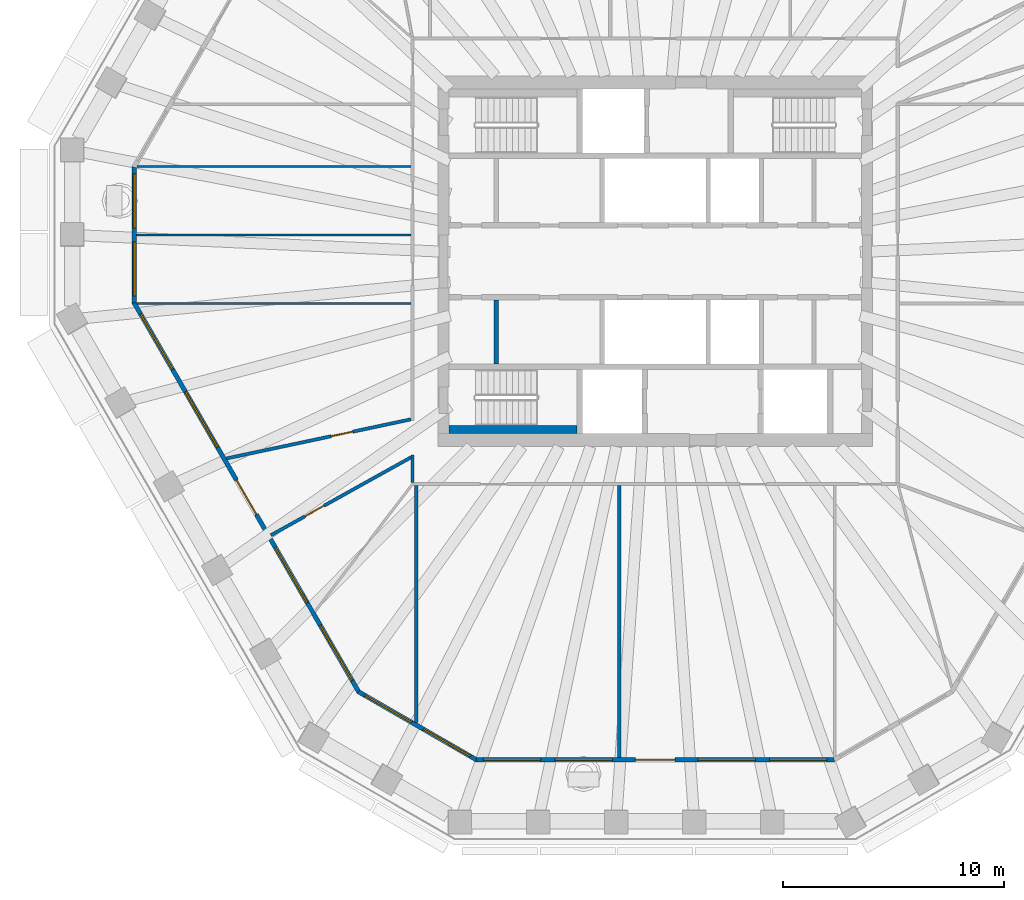
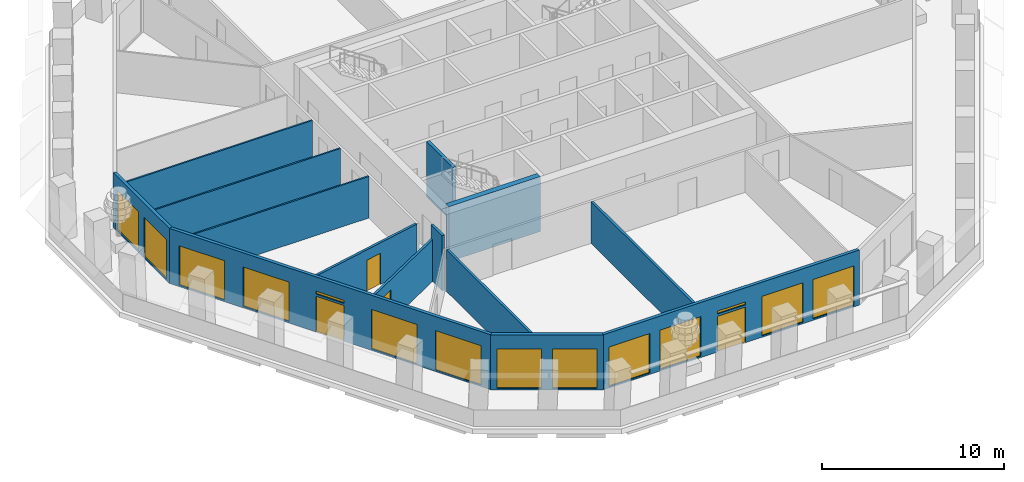
# One storey, part 3 of 12: 14 walls, 14 windows, 4 doors, 18 openings.
"""IFC4 building model written with IfcOpenShell, lengths in metres."""

from ifc_helpers import new_model, si_unit, direction, frame, frame_2d, origin, place, context, subcontext, project, spatial, polyline, rectangle, outline, extrude, material, layer, layer_set, type_object, element, fill, save


model = new_model("IFC4")

# Units and contexts
model_context = context("Model", 3, precision=1e-05, world=origin(), true_north=direction((0.0, 1.0)))
body_context = subcontext(model_context, "Body", "Model", "MODEL_VIEW")
ifc_project = project(units=[si_unit("LENGTHUNIT", "METRE"), si_unit("AREAUNIT", "SQUARE_METRE"), si_unit("VOLUMEUNIT", "CUBIC_METRE"), si_unit("PLANEANGLEUNIT", "RADIAN"), si_unit("MASSUNIT", "GRAM", prefix="KILO")], contexts=[model_context])

# Site, building, storey
site_placement = place(None, origin())
site = spatial("IfcSite", under=ifc_project, at=site_placement, CompositionType="ELEMENT")
building_placement = place(site_placement, origin())
building = spatial("IfcBuilding", under=site, at=building_placement, Name="Frailejon Research Tower", CompositionType="ELEMENT")
storey_placement = place(building_placement, frame((0.0, 0.0, 249.39990234375)))
storey = spatial("IfcBuildingStorey", under=building, at=storey_placement, Name="L54", CompositionType="ELEMENT", Elevation=249.39990234375)

# Wall, opening, door
ifc_material_1 = material(Name="Gypsum board and masonry partition", Category="masonry")
ifc_layer_1 = layer(ifc_material_1, 0.14990234375)
ifc_layer_set_1 = layer_set([ifc_layer_1], Name="Corridor wall EI 60, gypsum on steel studs 150")
wall_type_1 = type_object("IfcWallType", Name="Corridor wall EI 60, gypsum on steel studs 150", PredefinedType="PARTITIONING", material=ifc_layer_set_1)
wall_1_placement = place(storey_placement, frame((-19.434814453125, -8.938232421875, 0.0), z_axis=(0.0, 0.0, 1.0), x_axis=(0.978255730957, 0.207402326048, 0.0)))
wall_1 = element("IfcWall", 1, at=wall_1_placement, inside=storey, type_object=wall_type_1, Name="T:IW:L54:003", PredefinedType="PARTITIONING", context=body_context, shape_type="SweptSolid", body=[
    extrude(rectangle(XDim=8.547119140625, YDim=0.14990234375, at=frame_2d((4.2734375, 0.0))), origin(), (0.0, 0.0, 1.0), 2.800048828125),
])
opening_1_placement = place(wall_1_placement, frame((4.849365234375, 0.0, 0.0)))
opening_1 = element("IfcOpeningElement", 2, at=opening_1_placement, cuts=wall_1, Name="Opening D2063", PredefinedType="OPENING", context=body_context, shape_type="SweptSolid", body=[
    extrude(rectangle(XDim=1.0, YDim=2.10009765625, at=frame_2d((0.5, 1.050048828125))), frame((0.0, 0.0849609375, 0.0), z_axis=(0.0, -1.0, 0.0), x_axis=(1.0, 0.0, 0.0)), (0.0, 0.0, 1.0), 0.169921875),
])
ifc_material_2 = material(Name="Timber door leaf", Category="wood")
door_type_1 = type_object("IfcDoorType", Name="Door single leaf, timber, steel frame 1000", OperationType="NOTDEFINED", PredefinedType="DOOR", material=ifc_material_2)
door_1_placement = place(opening_1_placement, origin())
door_1 = element("IfcDoor", 3, at=door_1_placement, inside=storey, type_object=door_type_1, Name="D2063", OperationType="SINGLE_SWING_RIGHT", OverallHeight=2.10009765625, OverallWidth=1.0, PredefinedType="DOOR", context=body_context, shape_type="SweptSolid", body=[
    extrude(rectangle(XDim=1.0, YDim=2.10009765625, at=frame_2d((0.5, 1.050048828125))), frame((0.0, 0.02490234375, 0.0), z_axis=(0.0, -1.0, 0.0), x_axis=(1.0, 0.0, 0.0)), (0.0, 0.0, 1.0), 0.050048828125),
])
fill(opening_1, door_1)

wall_2_placement = place(storey_placement, frame((-17.423828125, -12.4208984375, 0.0), z_axis=(0.0, 0.0, 1.0), x_axis=(0.874033768058, 0.485865179134, 0.0)))
wall_2 = element("IfcWall", 4, at=wall_2_placement, inside=storey, type_object=wall_type_1, Name="T:IW:L54:004", PredefinedType="PARTITIONING", context=body_context, shape_type="SweptSolid", body=[
    extrude(rectangle(XDim=7.2744140625, YDim=0.14990234375, at=frame_2d((3.63720703125, 0.0))), origin(), (0.0, 0.0, 1.0), 2.800048828125),
])
opening_2_placement = place(wall_2_placement, frame((1.762451171875, 0.0, 0.0)))
opening_2 = element("IfcOpeningElement", 5, at=opening_2_placement, cuts=wall_2, Name="Opening D2064", PredefinedType="OPENING", context=body_context, shape_type="SweptSolid", body=[
    extrude(rectangle(XDim=1.0, YDim=2.10009765625, at=frame_2d((0.5, 1.050048828125))), frame((0.0, 0.0849609375, 0.0), z_axis=(0.0, -1.0, 0.0), x_axis=(1.0, 0.0, 0.0)), (0.0, 0.0, 1.0), 0.169921875),
])
door_2_placement = place(opening_2_placement, origin())
door_2 = element("IfcDoor", 6, at=door_2_placement, inside=storey, type_object=door_type_1, Name="D2064", OperationType="SINGLE_SWING_LEFT", OverallHeight=2.10009765625, OverallWidth=1.0, PredefinedType="DOOR", context=body_context, shape_type="SweptSolid", body=[
    extrude(rectangle(XDim=1.0, YDim=2.10009765625, at=frame_2d((0.5, 1.050048828125))), frame((0.0, 0.02490234375, 0.0), z_axis=(0.0, -1.0, 0.0), x_axis=(1.0, 0.0, 0.0)), (0.0, 0.0, 1.0), 0.050048828125),
])
fill(opening_2, door_2)

# Walls
wall_3_placement = place(storey_placement, frame((-11.0, -10.02490234375, 0.0), z_axis=(0.0, 0.0, 1.0), x_axis=(0.0, 1.0, 0.0)))
element("IfcWall", 7, at=wall_3_placement, inside=storey, type_object=wall_type_1, Name="T:IW:L54:008", PredefinedType="PARTITIONING", context=body_context, shape_type="SweptSolid", body=[
    extrude(rectangle(XDim=1.25, YDim=0.14990234375, at=frame_2d((0.625, 0.0))), origin(), (0.0, 0.0, 1.0), 3.7001953125),
])
ifc_material_3 = material(Name="Gypsum board and masonry partition", Category="masonry")
ifc_layer_2 = layer(ifc_material_3, 0.14990234375)
ifc_layer_set_2 = layer_set([ifc_layer_2], Name="Laboratory partition, blockwork 150")
wall_type_2 = type_object("IfcWallType", Name="Laboratory partition, blockwork 150", PredefinedType="PARTITIONING", material=ifc_layer_set_2)
wall_4_placement = place(storey_placement, frame((-10.82763671875, -20.91162109375, 0.0), z_axis=(0.0, 0.0, 1.0), x_axis=(0.0, 1.0, 0.0)))
element("IfcWall", 8, at=wall_4_placement, inside=storey, type_object=wall_type_2, Name="T:IW:L54:014", PredefinedType="PARTITIONING", context=body_context, shape_type="SweptSolid", body=[
    extrude(rectangle(XDim=10.736572265625, YDim=0.14990234375, at=frame_2d((5.3681640625, 0.0))), origin(), (0.0, 0.0, 1.0), 2.800048828125),
])
wall_5_placement = place(storey_placement, frame((-1.6279296875, -22.494140625, 0.0), z_axis=(0.0, 0.0, 1.0), x_axis=(0.0, 1.0, 0.0)))
element("IfcWall", 9, at=wall_5_placement, inside=storey, type_object=wall_type_2, Name="T:IW:L54:015", PredefinedType="PARTITIONING", context=body_context, shape_type="SweptSolid", body=[
    extrude(rectangle(XDim=12.319091796875, YDim=0.14990234375, at=frame_2d((6.15966796875, 0.0))), origin(), (0.0, 0.0, 1.0), 2.800048828125),
])
ifc_material_4 = material(Name="Gypsum board and masonry partition", Category="masonry")
ifc_layer_3 = layer(ifc_material_4, 0.10009765625)
ifc_layer_set_3 = layer_set([ifc_layer_3], Name="Partition, gypsum on steel studs 100")
wall_type_3 = type_object("IfcWallType", Name="Partition, gypsum on steel studs 100", PredefinedType="PARTITIONING", material=ifc_layer_set_3)
wall_6_placement = place(storey_placement, frame((-23.492919921875, 4.297607421875, 0.0), z_axis=(0.0, 0.0, 1.0), x_axis=(1.0, 0.0, 0.0)))
element("IfcWall", 10, at=wall_6_placement, inside=storey, type_object=wall_type_3, Name="T:IW:L54:023", PredefinedType="PARTITIONING", context=body_context, shape_type="SweptSolid", body=[
    extrude(rectangle(XDim=12.41796875, YDim=0.10009765625, at=frame_2d((6.208984375, 0.0))), origin(), (0.0, 0.0, 1.0), 2.800048828125),
])
wall_7_placement = place(storey_placement, frame((-23.52392578125, 1.194091796875, 0.0), z_axis=(0.0, 0.0, 1.0), x_axis=(1.0, 0.0, 0.0)))
element("IfcWall", 11, at=wall_7_placement, inside=storey, type_object=wall_type_3, Name="T:IW:L54:024", PredefinedType="PARTITIONING", context=body_context, shape_type="SweptSolid", body=[
    extrude(rectangle(XDim=12.448974609375, YDim=0.10009765625, at=frame_2d((6.224609375, 0.0))), origin(), (0.0, 0.0, 1.0), 2.800048828125),
])
wall_8_placement = place(storey_placement, frame((-23.492919921875, -1.9091796875, 0.0), z_axis=(0.0, 0.0, 1.0), x_axis=(1.0, 0.0, 0.0)))
element("IfcWall", 12, at=wall_8_placement, inside=storey, type_object=wall_type_3, Name="T:IW:L54:025", PredefinedType="PARTITIONING", context=body_context, shape_type="SweptSolid", body=[
    extrude(rectangle(XDim=12.41796875, YDim=0.10009765625, at=frame_2d((6.208984375, 0.0))), origin(), (0.0, 0.0, 1.0), 2.800048828125),
])
ifc_material_5 = material(Name="Concrete C60/75", Category="concrete")
ifc_layer_4 = layer(ifc_material_5, 0.199951171875)
ifc_layer_set_4 = layer_set([ifc_layer_4], Name="Shaft wall 200 C60/75")
wall_type_4 = type_object("IfcWallType", Name="Shaft wall 200 C60/75", PredefinedType="SOLIDWALL", material=ifc_layer_set_4)
wall_9_placement = place(storey_placement, frame((-7.199951171875, -4.64990234375, 0.0), z_axis=(0.0, 0.0, 1.0), x_axis=(0.0, 1.0, 0.0)))
element("IfcWall", 13, at=wall_9_placement, inside=storey, type_object=wall_type_4, Name="Shaft wall", PredefinedType="SOLIDWALL", context=body_context, shape_type="SweptSolid", body=[
    extrude(rectangle(XDim=2.89990234375, YDim=0.199951171875, at=frame_2d((1.449951171875, 0.0))), origin(), (0.0, 0.0, 1.0), 3.7001953125),
])
ifc_material_6 = material(Name="Concrete C60/75", Category="concrete")
ifc_layer_5 = layer(ifc_material_6, 0.35009765625)
ifc_layer_set_5 = layer_set([ifc_layer_5], Name="Shaft wall 350 C60/75")
wall_type_5 = type_object("IfcWallType", Name="Shaft wall 350 C60/75", PredefinedType="SOLIDWALL", material=ifc_layer_set_5)
wall_10_placement = place(storey_placement, frame((-9.35009765625, -7.625, 0.0), z_axis=(0.0, 0.0, 1.0), x_axis=(1.0, 0.0, 0.0)))
element("IfcWall", 14, at=wall_10_placement, inside=storey, type_object=wall_type_5, Name="Shaft wall", PredefinedType="SOLIDWALL", context=body_context, shape_type="SweptSolid", body=[
    extrude(rectangle(XDim=5.800048828125, YDim=0.35009765625, at=frame_2d((2.89990234375, 0.0))), origin(), (0.0, 0.0, 1.0), 3.7001953125),
])

# Wall, openings, windows
ifc_material_7 = material(Name="Concrete C40/50 precast window wall panel", Category="concrete")
ifc_layer_6 = layer(ifc_material_7, 0.199951171875)
ifc_layer_set_6 = layer_set([ifc_layer_6], Name="Window wall 200")
wall_type_6 = type_object("IfcWallType", Name="Window wall 200", PredefinedType="SOLIDWALL", material=ifc_layer_set_6)
wall_11_placement = place(storey_placement, frame((-23.623779296875, 4.270751953125, 0.0), z_axis=(0.0, 0.0, 1.0), x_axis=(0.0, -1.0, 0.0)))
wall_11 = element("IfcWall", 15, at=wall_11_placement, inside=storey, type_object=wall_type_6, Name="Exterior wall L54", PredefinedType="SOLIDWALL", context=body_context, shape_type="SweptSolid", body=[
    extrude(outline(polyline([(-0.02685546875, -0.10009765625), (1.007568359375, -0.10009765625), (2.0419921875, -0.10009765625), (3.07666015625, -0.10009765625), (4.111083984375, -0.10009765625), (5.1455078125, -0.10009765625), (6.179931640625, -0.10009765625), (6.126220703125, 0.10009765625), (5.109619140625, 0.10009765625), (4.093017578125, 0.10009765625), (3.07666015625, 0.10009765625), (2.06005859375, 0.10009765625), (1.04345703125, 0.10009765625), (0.02685546875, 0.10009765625), (-0.02685546875, -0.10009765625)])), origin(), (0.0, 0.0, 1.0), 3.7001953125),
])
opening_3_placement = place(wall_11_placement, frame((0.313232421875, 0.0, 0.10009765625)))
opening_3 = element("IfcOpeningElement", 16, at=opening_3_placement, cuts=wall_11, Name="Opening W17", PredefinedType="OPENING", context=body_context, shape_type="SweptSolid", body=[
    extrude(rectangle(XDim=2.449951171875, YDim=2.64990234375, at=frame_2d((1.22509765625, 1.324951171875))), frame((0.0, 0.10986328125, 0.0), z_axis=(0.0, -1.0, 0.0), x_axis=(1.0, 0.0, 0.0)), (0.0, 0.0, 1.0), 0.219970703125),
])
opening_4_placement = place(wall_11_placement, frame((3.3896484375, 0.0, 0.10009765625)))
opening_4 = element("IfcOpeningElement", 17, at=opening_4_placement, cuts=wall_11, Name="Opening W17", PredefinedType="OPENING", context=body_context, shape_type="SweptSolid", body=[
    extrude(rectangle(XDim=2.449951171875, YDim=2.64990234375, at=frame_2d((1.22509765625, 1.324951171875))), frame((0.0, 0.10986328125, 0.0), z_axis=(0.0, -1.0, 0.0), x_axis=(1.0, 0.0, 0.0)), (0.0, 0.0, 1.0), 0.219970703125),
])
ifc_material_8 = material(Name="Aluminium framed double glazing", Category="aluminium")
window_type_1 = type_object("IfcWindowType", Name="Window 2450x2650", PartitioningType="SINGLE_PANEL", PredefinedType="WINDOW", material=ifc_material_8)
window_1_placement = place(opening_3_placement, origin())
window_1 = element("IfcWindow", 18, at=window_1_placement, inside=storey, type_object=window_type_1, Name="Window L54", OverallHeight=2.64990234375, OverallWidth=2.449951171875, PartitioningType="SINGLE_PANEL", PredefinedType="WINDOW", context=body_context, shape_type="SweptSolid", body=[
    extrude(rectangle(XDim=2.449951171875, YDim=2.64990234375, at=frame_2d((1.22509765625, 1.324951171875))), frame((0.0, 0.030029296875, 0.0), z_axis=(0.0, -1.0, 0.0), x_axis=(1.0, 0.0, 0.0)), (0.0, 0.0, 1.0), 0.06005859375),
])
fill(opening_3, window_1)
window_2_placement = place(opening_4_placement, origin())
window_2 = element("IfcWindow", 19, at=window_2_placement, inside=storey, type_object=window_type_1, Name="Window L54", OverallHeight=2.64990234375, OverallWidth=2.449951171875, PartitioningType="SINGLE_PANEL", PredefinedType="WINDOW", context=body_context, shape_type="SweptSolid", body=[
    extrude(rectangle(XDim=2.449951171875, YDim=2.64990234375, at=frame_2d((1.22509765625, 1.324951171875))), frame((0.0, 0.030029296875, 0.0), z_axis=(0.0, -1.0, 0.0), x_axis=(1.0, 0.0, 0.0)), (0.0, 0.0, 1.0), 0.06005859375),
])
fill(opening_4, window_2)

# Wall, openings, door, windows
wall_12_placement = place(storey_placement, frame((-23.623779296875, -1.88232421875, 0.0), z_axis=(0.0, 0.0, 1.0), x_axis=(0.50000612033, -0.866021870181, 0.0)))
wall_12 = element("IfcWall", 20, at=wall_12_placement, inside=storey, type_object=wall_type_6, Name="Exterior wall L54", PredefinedType="SOLIDWALL", context=body_context, shape_type="SweptSolid", body=[
    extrude(outline(polyline([(-0.02685546875, -0.10009765625), (0.993896484375, -0.10009765625), (2.014892578125, -0.10009765625), (3.03564453125, -0.10009765625), (4.056640625, -0.10009765625), (5.077392578125, -0.10009765625), (6.098388671875, -0.10009765625), (7.119140625, -0.10009765625), (8.14013671875, -0.10009765625), (9.160888671875, -0.10009765625), (10.181640625, -0.10009765625), (11.20263671875, -0.10009765625), (12.223388671875, -0.10009765625), (13.244384765625, -0.10009765625), (14.26513671875, -0.10009765625), (15.2861328125, -0.10009765625), (16.306884765625, -0.10009765625), (17.327880859375, -0.10009765625), (18.3486328125, -0.10009765625), (19.36962890625, -0.10009765625), (20.390380859375, -0.10009765625), (20.336669921875, 0.10009765625), (19.3212890625, 0.10009765625), (18.3056640625, 0.10009765625), (17.290283203125, 0.10009765625), (16.274658203125, 0.10009765625), (15.25927734375, 0.10009765625), (14.24365234375, 0.10009765625), (13.228271484375, 0.10009765625), (12.212646484375, 0.10009765625), (11.197265625, 0.10009765625), (10.181640625, 0.10009765625), (9.166259765625, 0.10009765625), (8.15087890625, 0.10009765625), (7.13525390625, 0.10009765625), (6.119873046875, 0.10009765625), (5.104248046875, 0.10009765625), (4.0888671875, 0.10009765625), (3.0732421875, 0.10009765625), (2.057861328125, 0.10009765625), (1.042236328125, 0.10009765625), (0.02685546875, 0.10009765625), (-0.02685546875, -0.10009765625)])), origin(), (0.0, 0.0, 1.0), 3.7001953125),
])
opening_5_placement = place(wall_12_placement, frame((0.58642578125, 0.0, 0.10009765625)))
opening_5 = element("IfcOpeningElement", 21, at=opening_5_placement, cuts=wall_12, Name="Opening W20", PredefinedType="OPENING", context=body_context, shape_type="SweptSolid", body=[
    extrude(rectangle(XDim=2.89990234375, YDim=2.64990234375, at=frame_2d((1.449951171875, 1.324951171875))), frame((0.0, 0.10986328125, 0.0), z_axis=(0.0, -1.0, 0.0), x_axis=(1.0, 0.0, 0.0)), (0.0, 0.0, 1.0), 0.219970703125),
])
opening_6_placement = place(wall_12_placement, frame((4.6591796875, 0.0, 0.10009765625)))
opening_6 = element("IfcOpeningElement", 22, at=opening_6_placement, cuts=wall_12, Name="Opening W20", PredefinedType="OPENING", context=body_context, shape_type="SweptSolid", body=[
    extrude(rectangle(XDim=2.89990234375, YDim=2.64990234375, at=frame_2d((1.449951171875, 1.324951171875))), frame((0.0, 0.10986328125, 0.0), z_axis=(0.0, -1.0, 0.0), x_axis=(1.0, 0.0, 0.0)), (0.0, 0.0, 1.0), 0.219970703125),
])
opening_7_placement = place(wall_12_placement, frame((9.28173828125, 0.0, 0.0)))
opening_7 = element("IfcOpeningElement", 23, at=opening_7_placement, cuts=wall_12, Name="Opening LG54-4", PredefinedType="OPENING", context=body_context, shape_type="SweptSolid", body=[
    extrude(rectangle(XDim=1.800048828125, YDim=2.39990234375, at=frame_2d((0.89990234375, 1.199951171875))), frame((0.0, 0.10986328125, 0.0), z_axis=(0.0, -1.0, 0.0), x_axis=(1.0, 0.0, 0.0)), (0.0, 0.0, 1.0), 0.219970703125),
])
opening_8_placement = place(wall_12_placement, frame((9.28173828125, 0.0, 2.550048828125)))
opening_8 = element("IfcOpeningElement", 24, at=opening_8_placement, cuts=wall_12, Name="Opening W19", PredefinedType="OPENING", context=body_context, shape_type="SweptSolid", body=[
    extrude(rectangle(XDim=1.800048828125, YDim=0.199951171875, at=frame_2d((0.89990234375, 0.10009765625))), frame((0.0, 0.10986328125, 0.0), z_axis=(0.0, -1.0, 0.0), x_axis=(1.0, 0.0, 0.0)), (0.0, 0.0, 1.0), 0.219970703125),
])
opening_9_placement = place(wall_12_placement, frame((12.8046875, 0.0, 0.10009765625)))
opening_9 = element("IfcOpeningElement", 25, at=opening_9_placement, cuts=wall_12, Name="Opening W20", PredefinedType="OPENING", context=body_context, shape_type="SweptSolid", body=[
    extrude(rectangle(XDim=2.89990234375, YDim=2.64990234375, at=frame_2d((1.449951171875, 1.324951171875))), frame((0.0, 0.10986328125, 0.0), z_axis=(0.0, -1.0, 0.0), x_axis=(1.0, 0.0, 0.0)), (0.0, 0.0, 1.0), 0.219970703125),
])
opening_10_placement = place(wall_12_placement, frame((16.877197265625, 0.0, 0.10009765625)))
opening_10 = element("IfcOpeningElement", 26, at=opening_10_placement, cuts=wall_12, Name="Opening W20", PredefinedType="OPENING", context=body_context, shape_type="SweptSolid", body=[
    extrude(rectangle(XDim=2.89990234375, YDim=2.64990234375, at=frame_2d((1.449951171875, 1.324951171875))), frame((0.0, 0.10986328125, 0.0), z_axis=(0.0, -1.0, 0.0), x_axis=(1.0, 0.0, 0.0)), (0.0, 0.0, 1.0), 0.219970703125),
])
ifc_material_9 = material(Name="Aluminium framed glazed door leaf", Category="aluminium")
door_type_2 = type_object("IfcDoorType", Name="Loggia door 1800x2400", OperationType="DOUBLE_DOOR_SINGLE_SWING", PredefinedType="DOOR", material=ifc_material_9)
door_3_placement = place(opening_7_placement, origin())
door_3 = element("IfcDoor", 27, at=door_3_placement, inside=storey, type_object=door_type_2, Name="Door LG54-4", OperationType="DOUBLE_DOOR_SINGLE_SWING", OverallHeight=2.39990234375, OverallWidth=1.800048828125, PredefinedType="DOOR", context=body_context, shape_type="SweptSolid", body=[
    extrude(rectangle(XDim=1.800048828125, YDim=2.39990234375, at=frame_2d((0.89990234375, 1.199951171875))), frame((0.0, 0.02490234375, 0.0), z_axis=(0.0, -1.0, 0.0), x_axis=(1.0, 0.0, 0.0)), (0.0, 0.0, 1.0), 0.050048828125),
])
fill(opening_7, door_3)
ifc_material_10 = material(Name="Aluminium framed double glazing", Category="aluminium")
window_type_2 = type_object("IfcWindowType", Name="Window 1800x200", PartitioningType="SINGLE_PANEL", PredefinedType="WINDOW", material=ifc_material_10)
window_3_placement = place(opening_8_placement, origin())
window_3 = element("IfcWindow", 28, at=window_3_placement, inside=storey, type_object=window_type_2, Name="Window L54", OverallHeight=0.199951171875, OverallWidth=1.800048828125, PartitioningType="SINGLE_PANEL", PredefinedType="WINDOW", context=body_context, shape_type="SweptSolid", body=[
    extrude(rectangle(XDim=1.800048828125, YDim=0.199951171875, at=frame_2d((0.89990234375, 0.10009765625))), frame((0.0, 0.030029296875, 0.0), z_axis=(0.0, -1.0, 0.0), x_axis=(1.0, 0.0, 0.0)), (0.0, 0.0, 1.0), 0.06005859375),
])
fill(opening_8, window_3)
ifc_material_11 = material(Name="Aluminium framed double glazing", Category="aluminium")
window_type_3 = type_object("IfcWindowType", Name="Window 2900x2650", PartitioningType="SINGLE_PANEL", PredefinedType="WINDOW", material=ifc_material_11)
window_4_placement = place(opening_5_placement, origin())
window_4 = element("IfcWindow", 29, at=window_4_placement, inside=storey, type_object=window_type_3, Name="Window L54", OverallHeight=2.64990234375, OverallWidth=2.89990234375, PartitioningType="SINGLE_PANEL", PredefinedType="WINDOW", context=body_context, shape_type="SweptSolid", body=[
    extrude(rectangle(XDim=2.89990234375, YDim=2.64990234375, at=frame_2d((1.449951171875, 1.324951171875))), frame((0.0, 0.030029296875, 0.0), z_axis=(0.0, -1.0, 0.0), x_axis=(1.0, 0.0, 0.0)), (0.0, 0.0, 1.0), 0.06005859375),
])
fill(opening_5, window_4)
window_5_placement = place(opening_6_placement, origin())
window_5 = element("IfcWindow", 30, at=window_5_placement, inside=storey, type_object=window_type_3, Name="Window L54", OverallHeight=2.64990234375, OverallWidth=2.89990234375, PartitioningType="SINGLE_PANEL", PredefinedType="WINDOW", context=body_context, shape_type="SweptSolid", body=[
    extrude(rectangle(XDim=2.89990234375, YDim=2.64990234375, at=frame_2d((1.449951171875, 1.324951171875))), frame((0.0, 0.030029296875, 0.0), z_axis=(0.0, -1.0, 0.0), x_axis=(1.0, 0.0, 0.0)), (0.0, 0.0, 1.0), 0.06005859375),
])
fill(opening_6, window_5)
window_6_placement = place(opening_9_placement, origin())
window_6 = element("IfcWindow", 31, at=window_6_placement, inside=storey, type_object=window_type_3, Name="Window L54", OverallHeight=2.64990234375, OverallWidth=2.89990234375, PartitioningType="SINGLE_PANEL", PredefinedType="WINDOW", context=body_context, shape_type="SweptSolid", body=[
    extrude(rectangle(XDim=2.89990234375, YDim=2.64990234375, at=frame_2d((1.449951171875, 1.324951171875))), frame((0.0, 0.030029296875, 0.0), z_axis=(0.0, -1.0, 0.0), x_axis=(1.0, 0.0, 0.0)), (0.0, 0.0, 1.0), 0.06005859375),
])
fill(opening_9, window_6)
window_7_placement = place(opening_10_placement, origin())
window_7 = element("IfcWindow", 32, at=window_7_placement, inside=storey, type_object=window_type_3, Name="Window L54", OverallHeight=2.64990234375, OverallWidth=2.89990234375, PartitioningType="SINGLE_PANEL", PredefinedType="WINDOW", context=body_context, shape_type="SweptSolid", body=[
    extrude(rectangle(XDim=2.89990234375, YDim=2.64990234375, at=frame_2d((1.449951171875, 1.324951171875))), frame((0.0, 0.030029296875, 0.0), z_axis=(0.0, -1.0, 0.0), x_axis=(1.0, 0.0, 0.0)), (0.0, 0.0, 1.0), 0.06005859375),
])
fill(opening_10, window_7)

# Wall, openings, windows
wall_13_placement = place(storey_placement, frame((-13.44189453125, -19.517578125, 0.0), z_axis=(0.0, 0.0, 1.0), x_axis=(0.866012465712, -0.500022408728, 0.0)))
wall_13 = element("IfcWall", 33, at=wall_13_placement, inside=storey, type_object=wall_type_6, Name="Exterior wall L54", PredefinedType="SOLIDWALL", context=body_context, shape_type="SweptSolid", body=[
    extrude(outline(polyline([(-0.02685546875, -0.10009765625), (1.007568359375, -0.10009765625), (2.0419921875, -0.10009765625), (3.07666015625, -0.10009765625), (4.111083984375, -0.10009765625), (5.1455078125, -0.10009765625), (6.179931640625, -0.10009765625), (6.126220703125, 0.10009765625), (5.109619140625, 0.10009765625), (4.093017578125, 0.10009765625), (3.07666015625, 0.10009765625), (2.06005859375, 0.10009765625), (1.04345703125, 0.10009765625), (0.02685546875, 0.10009765625), (-0.02685546875, -0.10009765625)])), origin(), (0.0, 0.0, 1.0), 3.7001953125),
])
opening_11_placement = place(wall_13_placement, frame((0.313232421875, 0.0, 0.10009765625)))
opening_11 = element("IfcOpeningElement", 34, at=opening_11_placement, cuts=wall_13, Name="Opening W17", PredefinedType="OPENING", context=body_context, shape_type="SweptSolid", body=[
    extrude(rectangle(XDim=2.449951171875, YDim=2.64990234375, at=frame_2d((1.22509765625, 1.324951171875))), frame((0.0, 0.10986328125, 0.0), z_axis=(0.0, -1.0, 0.0), x_axis=(1.0, 0.0, 0.0)), (0.0, 0.0, 1.0), 0.219970703125),
])
opening_12_placement = place(wall_13_placement, frame((3.3896484375, 0.0, 0.10009765625)))
opening_12 = element("IfcOpeningElement", 35, at=opening_12_placement, cuts=wall_13, Name="Opening W17", PredefinedType="OPENING", context=body_context, shape_type="SweptSolid", body=[
    extrude(rectangle(XDim=2.449951171875, YDim=2.64990234375, at=frame_2d((1.22509765625, 1.324951171875))), frame((0.0, 0.10986328125, 0.0), z_axis=(0.0, -1.0, 0.0), x_axis=(1.0, 0.0, 0.0)), (0.0, 0.0, 1.0), 0.219970703125),
])
window_8_placement = place(opening_11_placement, origin())
window_8 = element("IfcWindow", 36, at=window_8_placement, inside=storey, type_object=window_type_1, Name="Window L54", OverallHeight=2.64990234375, OverallWidth=2.449951171875, PartitioningType="SINGLE_PANEL", PredefinedType="WINDOW", context=body_context, shape_type="SweptSolid", body=[
    extrude(rectangle(XDim=2.449951171875, YDim=2.64990234375, at=frame_2d((1.22509765625, 1.324951171875))), frame((0.0, 0.030029296875, 0.0), z_axis=(0.0, -1.0, 0.0), x_axis=(1.0, 0.0, 0.0)), (0.0, 0.0, 1.0), 0.06005859375),
])
fill(opening_11, window_8)
window_9_placement = place(opening_12_placement, origin())
window_9 = element("IfcWindow", 37, at=window_9_placement, inside=storey, type_object=window_type_1, Name="Window L54", OverallHeight=2.64990234375, OverallWidth=2.449951171875, PartitioningType="SINGLE_PANEL", PredefinedType="WINDOW", context=body_context, shape_type="SweptSolid", body=[
    extrude(rectangle(XDim=2.449951171875, YDim=2.64990234375, at=frame_2d((1.22509765625, 1.324951171875))), frame((0.0, 0.030029296875, 0.0), z_axis=(0.0, -1.0, 0.0), x_axis=(1.0, 0.0, 0.0)), (0.0, 0.0, 1.0), 0.06005859375),
])
fill(opening_12, window_9)

# Wall, openings, door, windows
wall_14_placement = place(storey_placement, frame((-8.11328125, -22.59423828125, 0.0), z_axis=(0.0, 0.0, 1.0), x_axis=(1.0, 0.0, 0.0)))
wall_14 = element("IfcWall", 38, at=wall_14_placement, inside=storey, type_object=wall_type_6, Name="Exterior wall L54", PredefinedType="SOLIDWALL", context=body_context, shape_type="SweptSolid", body=[
    extrude(outline(polyline([(-0.02685546875, -0.10009765625), (0.99072265625, -0.10009765625), (2.00830078125, -0.10009765625), (3.025634765625, -0.10009765625), (4.043212890625, -0.10009765625), (5.060791015625, -0.10009765625), (6.078125, -0.10009765625), (7.095703125, -0.10009765625), (8.11328125, -0.10009765625), (9.130859375, -0.10009765625), (10.1484375, -0.10009765625), (11.165771484375, -0.10009765625), (12.183349609375, -0.10009765625), (13.200927734375, -0.10009765625), (14.21826171875, -0.10009765625), (15.23583984375, -0.10009765625), (16.25341796875, -0.10009765625), (16.19970703125, 0.10009765625), (15.18896484375, 0.10009765625), (14.17822265625, 0.10009765625), (13.167236328125, 0.10009765625), (12.156494140625, 0.10009765625), (11.145751953125, 0.10009765625), (10.134765625, 0.10009765625), (9.1240234375, 0.10009765625), (8.11328125, 0.10009765625), (7.1025390625, 0.10009765625), (6.091796875, 0.10009765625), (5.080810546875, 0.10009765625), (4.070068359375, 0.10009765625), (3.059326171875, 0.10009765625), (2.04833984375, 0.10009765625), (1.03759765625, 0.10009765625), (0.02685546875, 0.10009765625), (-0.02685546875, -0.10009765625)])), origin(), (0.0, 0.0, 1.0), 3.7001953125),
])
opening_13_placement = place(wall_14_placement, frame((0.32275390625, 0.0, 0.10009765625)))
opening_13 = element("IfcOpeningElement", 39, at=opening_13_placement, cuts=wall_14, Name="Opening W18", PredefinedType="OPENING", context=body_context, shape_type="SweptSolid", body=[
    extrude(rectangle(XDim=2.60009765625, YDim=2.64990234375, at=frame_2d((1.300048828125, 1.324951171875))), frame((0.0, 0.10986328125, 0.0), z_axis=(0.0, -1.0, 0.0), x_axis=(1.0, 0.0, 0.0)), (0.0, 0.0, 1.0), 0.219970703125),
])
opening_14_placement = place(wall_14_placement, frame((3.568115234375, 0.0, 0.10009765625)))
opening_14 = element("IfcOpeningElement", 40, at=opening_14_placement, cuts=wall_14, Name="Opening W18", PredefinedType="OPENING", context=body_context, shape_type="SweptSolid", body=[
    extrude(rectangle(XDim=2.60009765625, YDim=2.64990234375, at=frame_2d((1.300048828125, 1.324951171875))), frame((0.0, 0.10986328125, 0.0), z_axis=(0.0, -1.0, 0.0), x_axis=(1.0, 0.0, 0.0)), (0.0, 0.0, 1.0), 0.219970703125),
])
opening_15_placement = place(wall_14_placement, frame((7.21337890625, 0.0, 0.0)))
opening_15 = element("IfcOpeningElement", 41, at=opening_15_placement, cuts=wall_14, Name="Opening LG54-5", PredefinedType="OPENING", context=body_context, shape_type="SweptSolid", body=[
    extrude(rectangle(XDim=1.800048828125, YDim=2.39990234375, at=frame_2d((0.89990234375, 1.199951171875))), frame((0.0, 0.10986328125, 0.0), z_axis=(0.0, -1.0, 0.0), x_axis=(1.0, 0.0, 0.0)), (0.0, 0.0, 1.0), 0.219970703125),
])
opening_16_placement = place(wall_14_placement, frame((7.21337890625, 0.0, 2.550048828125)))
opening_16 = element("IfcOpeningElement", 42, at=opening_16_placement, cuts=wall_14, Name="Opening W19", PredefinedType="OPENING", context=body_context, shape_type="SweptSolid", body=[
    extrude(rectangle(XDim=1.800048828125, YDim=0.199951171875, at=frame_2d((0.89990234375, 0.10009765625))), frame((0.0, 0.10986328125, 0.0), z_axis=(0.0, -1.0, 0.0), x_axis=(1.0, 0.0, 0.0)), (0.0, 0.0, 1.0), 0.219970703125),
])
opening_17_placement = place(wall_14_placement, frame((10.058837890625, 0.0, 0.10009765625)))
opening_17 = element("IfcOpeningElement", 43, at=opening_17_placement, cuts=wall_14, Name="Opening W18", PredefinedType="OPENING", context=body_context, shape_type="SweptSolid", body=[
    extrude(rectangle(XDim=2.60009765625, YDim=2.64990234375, at=frame_2d((1.300048828125, 1.324951171875))), frame((0.0, 0.10986328125, 0.0), z_axis=(0.0, -1.0, 0.0), x_axis=(1.0, 0.0, 0.0)), (0.0, 0.0, 1.0), 0.219970703125),
])
opening_18_placement = place(wall_14_placement, frame((13.30419921875, 0.0, 0.10009765625)))
opening_18 = element("IfcOpeningElement", 44, at=opening_18_placement, cuts=wall_14, Name="Opening W18", PredefinedType="OPENING", context=body_context, shape_type="SweptSolid", body=[
    extrude(rectangle(XDim=2.60009765625, YDim=2.64990234375, at=frame_2d((1.300048828125, 1.324951171875))), frame((0.0, 0.10986328125, 0.0), z_axis=(0.0, -1.0, 0.0), x_axis=(1.0, 0.0, 0.0)), (0.0, 0.0, 1.0), 0.219970703125),
])
door_4_placement = place(opening_15_placement, origin())
door_4 = element("IfcDoor", 45, at=door_4_placement, inside=storey, type_object=door_type_2, Name="Door LG54-5", OperationType="DOUBLE_DOOR_SINGLE_SWING", OverallHeight=2.39990234375, OverallWidth=1.800048828125, PredefinedType="DOOR", context=body_context, shape_type="SweptSolid", body=[
    extrude(rectangle(XDim=1.800048828125, YDim=2.39990234375, at=frame_2d((0.89990234375, 1.199951171875))), frame((0.0, 0.02490234375, 0.0), z_axis=(0.0, -1.0, 0.0), x_axis=(1.0, 0.0, 0.0)), (0.0, 0.0, 1.0), 0.050048828125),
])
fill(opening_15, door_4)
window_10_placement = place(opening_16_placement, origin())
window_10 = element("IfcWindow", 46, at=window_10_placement, inside=storey, type_object=window_type_2, Name="Window L54", OverallHeight=0.199951171875, OverallWidth=1.800048828125, PartitioningType="SINGLE_PANEL", PredefinedType="WINDOW", context=body_context, shape_type="SweptSolid", body=[
    extrude(rectangle(XDim=1.800048828125, YDim=0.199951171875, at=frame_2d((0.89990234375, 0.10009765625))), frame((0.0, 0.030029296875, 0.0), z_axis=(0.0, -1.0, 0.0), x_axis=(1.0, 0.0, 0.0)), (0.0, 0.0, 1.0), 0.06005859375),
])
fill(opening_16, window_10)
ifc_material_12 = material(Name="Aluminium framed double glazing", Category="aluminium")
window_type_4 = type_object("IfcWindowType", Name="Window 2600x2650", PartitioningType="SINGLE_PANEL", PredefinedType="WINDOW", material=ifc_material_12)
window_11_placement = place(opening_13_placement, origin())
window_11 = element("IfcWindow", 47, at=window_11_placement, inside=storey, type_object=window_type_4, Name="Window L54", OverallHeight=2.64990234375, OverallWidth=2.60009765625, PartitioningType="SINGLE_PANEL", PredefinedType="WINDOW", context=body_context, shape_type="SweptSolid", body=[
    extrude(rectangle(XDim=2.60009765625, YDim=2.64990234375, at=frame_2d((1.300048828125, 1.324951171875))), frame((0.0, 0.030029296875, 0.0), z_axis=(0.0, -1.0, 0.0), x_axis=(1.0, 0.0, 0.0)), (0.0, 0.0, 1.0), 0.06005859375),
])
fill(opening_13, window_11)
window_12_placement = place(opening_14_placement, origin())
window_12 = element("IfcWindow", 48, at=window_12_placement, inside=storey, type_object=window_type_4, Name="Window L54", OverallHeight=2.64990234375, OverallWidth=2.60009765625, PartitioningType="SINGLE_PANEL", PredefinedType="WINDOW", context=body_context, shape_type="SweptSolid", body=[
    extrude(rectangle(XDim=2.60009765625, YDim=2.64990234375, at=frame_2d((1.300048828125, 1.324951171875))), frame((0.0, 0.030029296875, 0.0), z_axis=(0.0, -1.0, 0.0), x_axis=(1.0, 0.0, 0.0)), (0.0, 0.0, 1.0), 0.06005859375),
])
fill(opening_14, window_12)
window_13_placement = place(opening_17_placement, origin())
window_13 = element("IfcWindow", 49, at=window_13_placement, inside=storey, type_object=window_type_4, Name="Window L54", OverallHeight=2.64990234375, OverallWidth=2.60009765625, PartitioningType="SINGLE_PANEL", PredefinedType="WINDOW", context=body_context, shape_type="SweptSolid", body=[
    extrude(rectangle(XDim=2.60009765625, YDim=2.64990234375, at=frame_2d((1.300048828125, 1.324951171875))), frame((0.0, 0.030029296875, 0.0), z_axis=(0.0, -1.0, 0.0), x_axis=(1.0, 0.0, 0.0)), (0.0, 0.0, 1.0), 0.06005859375),
])
fill(opening_17, window_13)
window_14_placement = place(opening_18_placement, origin())
window_14 = element("IfcWindow", 50, at=window_14_placement, inside=storey, type_object=window_type_4, Name="Window L54", OverallHeight=2.64990234375, OverallWidth=2.60009765625, PartitioningType="SINGLE_PANEL", PredefinedType="WINDOW", context=body_context, shape_type="SweptSolid", body=[
    extrude(rectangle(XDim=2.60009765625, YDim=2.64990234375, at=frame_2d((1.300048828125, 1.324951171875))), frame((0.0, 0.030029296875, 0.0), z_axis=(0.0, -1.0, 0.0), x_axis=(1.0, 0.0, 0.0)), (0.0, 0.0, 1.0), 0.06005859375),
])
fill(opening_18, window_14)

save(model, "model.ifc")
